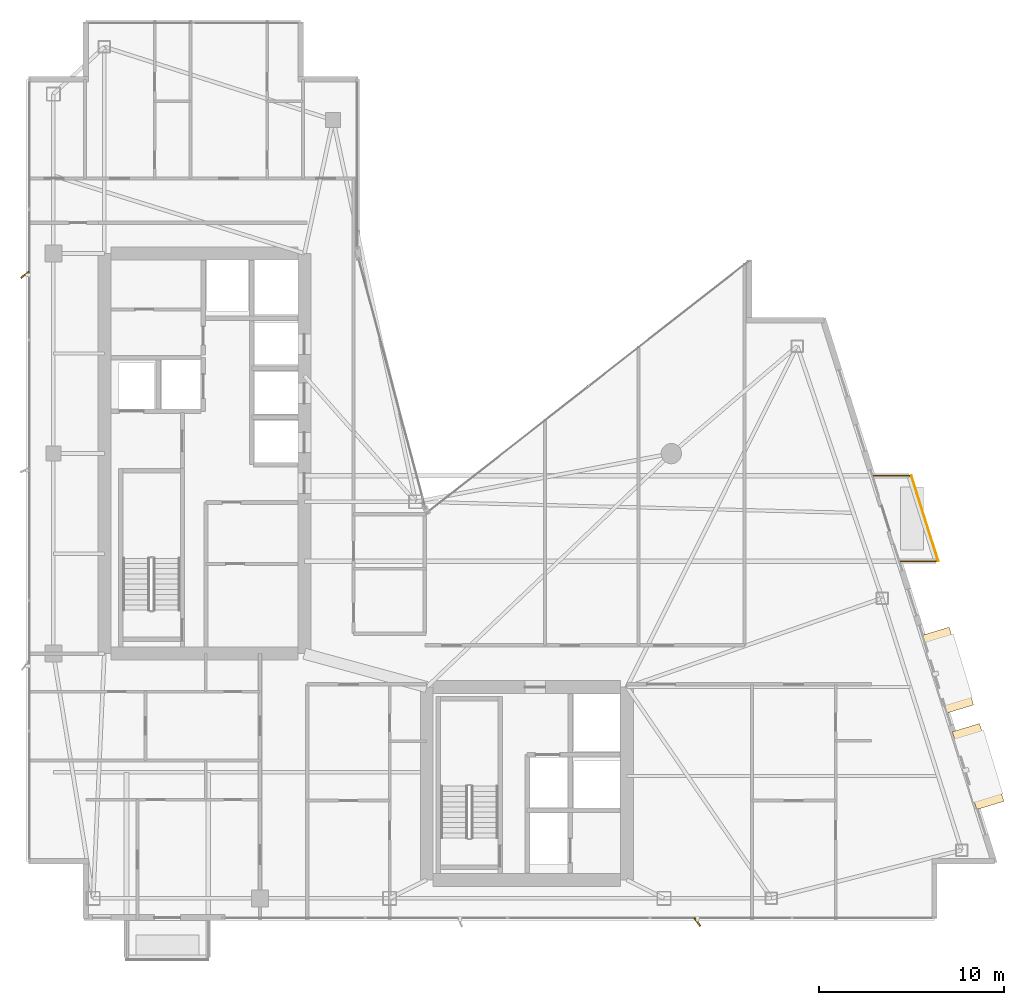
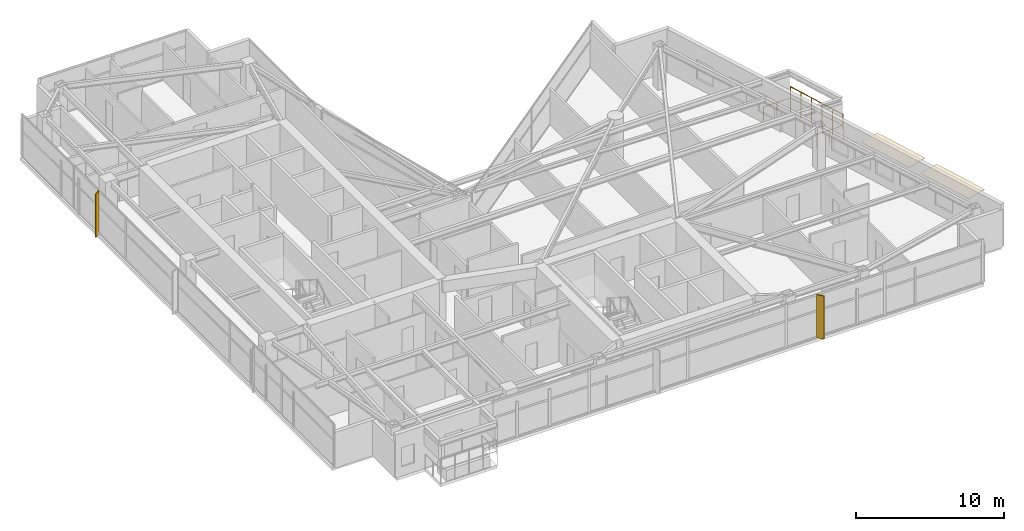
# One storey, part 30 of 30: 2 coverings, 2 railings, 2 shading devices.
"""IFC4 building model written with IfcOpenShell, lengths in metres."""

from ifc_helpers import new_model, si_unit, direction, frame, origin, origin_2d, place, context, subcontext, project, spatial, polyline, rectangle, circle, outline, extrude, material, layer, layer_set, type_object, element, save


model = new_model("IFC4")

# Units and contexts
model_context = context("Model", 3, precision=1e-05, world=origin(), true_north=direction((0.0, 1.0)))
body_context = subcontext(model_context, "Body", "Model", "MODEL_VIEW")
ifc_project = project(units=[si_unit("LENGTHUNIT", "METRE"), si_unit("AREAUNIT", "SQUARE_METRE"), si_unit("VOLUMEUNIT", "CUBIC_METRE"), si_unit("PLANEANGLEUNIT", "RADIAN"), si_unit("MASSUNIT", "GRAM", prefix="KILO")], contexts=[model_context])

# Site, building, storey
site_placement = place(None, origin())
site = spatial("IfcSite", under=ifc_project, at=site_placement, CompositionType="ELEMENT")
building_placement = place(site_placement, origin())
building = spatial("IfcBuilding", under=site, at=building_placement, Name="Calvorn Quay Hotel", CompositionType="ELEMENT")
storey_placement = place(building_placement, frame((0.0, 0.0, 207.199951171875)))
storey = spatial("IfcBuildingStorey", under=building, at=storey_placement, Name="L51", CompositionType="ELEMENT", Elevation=207.199951171875)

# Coverings
ifc_material_1 = material(Name="Pale Anodised Aluminium Rainscreen Cladding", Category="aluminium")
ifc_layer = layer(ifc_material_1, 0.044921875)
ifc_layer_set = layer_set([ifc_layer], Name="COV-CROWN-CLAD")
covering_type = type_object("IfcCoveringType", Name="COV-CROWN-CLAD", PredefinedType="CLADDING", material=ifc_layer_set)
covering_1_placement = place(storey_placement, frame((0.0, 0.0, 2.505126953125)))
element("IfcCovering", 1, at=covering_1_placement, inside=storey, type_object=covering_type, Name="Angled Bay Hood Canopy L51-HOOD-1", PredefinedType="CLADDING", context=body_context, shape_type="SweptSolid", body=[
    extrude(outline(polyline([(49.95703125, 12.587890625), (51.429931640625, 13.034912109375), (52.7529296875, 8.8349609375), (51.280029296875, 8.387939453125), (49.95703125, 12.587890625)])), origin(), (0.0, 0.0, 1.0), 0.044921875),
])
covering_2_placement = place(storey_placement, frame((0.0, 0.0, 2.505126953125)))
element("IfcCovering", 2, at=covering_2_placement, inside=storey, type_object=covering_type, Name="Angled Bay Hood Canopy L51-HOOD-2", PredefinedType="CLADDING", context=body_context, shape_type="SweptSolid", body=[
    extrude(outline(polyline([(48.318115234375, 17.7880859375), (49.791015625, 18.235107421875), (51.114013671875, 14.034912109375), (49.64111328125, 13.587890625), (48.318115234375, 17.7880859375)])), origin(), (0.0, 0.0, 1.0), 0.044921875),
])

# Railings
ifc_material_2 = material(Name="Pale Anodised Aluminium and Laminated Glass", Category="aluminium")
railing_type = type_object("IfcRailingType", Name="RLG-BALUSTRADE-1200", PredefinedType="BALUSTRADE", material=ifc_material_2)
railing_1_placement = place(storey_placement, frame((47.10595703125, 21.800048828125, 0.0)))
element("IfcRailing", 3, at=railing_1_placement, inside=storey, type_object=railing_type, Name="Tree Balcony Perimeter Balustrade L51-BALC-E", PredefinedType="BALUSTRADE", context=body_context, shape_type="SweptSolid", body=[
    extrude(circle(Radius=0.02392578125, at=origin_2d()), frame((0.0, 0.0, 1.17578125), z_axis=(1.0, 0.0, 0.0), x_axis=(0.0, 1.0, 0.0)), (0.0, 0.0, 1.0), 2.10009765625),
    extrude(circle(Radius=0.02392578125, at=origin_2d()), frame((2.10009765625, 0.0, 1.17578125), z_axis=(-0.300450487966, 0.953797412599, 0.0), x_axis=(-0.953797412599, -0.300450487966, 0.0)), (0.0, 0.0, 1.0), 4.82275390625),
    extrude(circle(Radius=0.02392578125, at=origin_2d()), frame((0.651123046875, 4.599853515625, 1.17578125), z_axis=(-1.0, 0.0, 0.0), x_axis=(0.0, -1.0, 0.0)), (0.0, 0.0, 1.0), 2.10009765625),
    extrude(circle(Radius=0.02099609375, at=origin_2d()), origin(), (0.0, 0.0, 1.0), 1.15185546875),
    extrude(circle(Radius=0.02099609375, at=origin_2d()), frame((1.050048828125, 0.0, 0.0)), (0.0, 0.0, 1.0), 1.15185546875),
    extrude(circle(Radius=0.02099609375, at=origin_2d()), frame((2.10009765625, 0.0, 0.0)), (0.0, 0.0, 1.0), 1.15185546875),
    extrude(circle(Radius=0.02099609375, at=origin_2d()), frame((1.810302734375, 0.919921875, 0.0)), (0.0, 0.0, 1.0), 1.15185546875),
    extrude(circle(Radius=0.02099609375, at=origin_2d()), frame((1.5205078125, 1.83984375, 0.0)), (0.0, 0.0, 1.0), 1.15185546875),
    extrude(circle(Radius=0.02099609375, at=origin_2d()), frame((1.230712890625, 2.760009765625, 0.0)), (0.0, 0.0, 1.0), 1.15185546875),
    extrude(circle(Radius=0.02099609375, at=origin_2d()), frame((0.94091796875, 3.679931640625, 0.0)), (0.0, 0.0, 1.0), 1.15185546875),
    extrude(circle(Radius=0.02099609375, at=origin_2d()), frame((0.651123046875, 4.599853515625, 0.0)), (0.0, 0.0, 1.0), 1.15185546875),
    extrude(circle(Radius=0.02099609375, at=origin_2d()), frame((-0.39892578125, 4.599853515625, 0.0)), (0.0, 0.0, 1.0), 1.15185546875),
    extrude(circle(Radius=0.02099609375, at=origin_2d()), frame((-1.448974609375, 4.599853515625, 0.0)), (0.0, 0.0, 1.0), 1.15185546875),
])
railing_2_placement = place(storey_placement, frame((49.2060546875, 21.800048828125, 0.900146484375)))
element("IfcRailing", 4, at=railing_2_placement, inside=storey, type_object=railing_type, Name="Planter Kerb High Safety Screen L51-BALC-E", PredefinedType="BALUSTRADE", context=body_context, shape_type="SweptSolid", body=[
    extrude(circle(Radius=0.02392578125, at=origin_2d()), frame((0.0, 0.0, 1.19580078125), z_axis=(-0.300450487966, 0.953797412599, 0.0), x_axis=(-0.953797412599, -0.300450487966, 0.0)), (0.0, 0.0, 1.0), 4.82275390625),
    extrude(circle(Radius=0.02099609375, at=origin_2d()), origin(), (0.0, 0.0, 1.0), 1.171875),
    extrude(circle(Radius=0.02099609375, at=origin_2d()), frame((-0.289794921875, 0.919921875, 0.0)), (0.0, 0.0, 1.0), 1.171875),
    extrude(circle(Radius=0.02099609375, at=origin_2d()), frame((-0.57958984375, 1.83984375, 0.0)), (0.0, 0.0, 1.0), 1.171875),
    extrude(circle(Radius=0.02099609375, at=origin_2d()), frame((-0.869384765625, 2.760009765625, 0.0)), (0.0, 0.0, 1.0), 1.171875),
    extrude(circle(Radius=0.02099609375, at=origin_2d()), frame((-1.1591796875, 3.679931640625, 0.0)), (0.0, 0.0, 1.0), 1.171875),
    extrude(circle(Radius=0.02099609375, at=origin_2d()), frame((-1.448974609375, 4.599853515625, 0.0)), (0.0, 0.0, 1.0), 1.171875),
])

# Shading devices
ifc_material_3 = material(Name="Champagne Bronze Anodised Aluminium 6063-T6", Category="aluminium")
shading_device_type = type_object("IfcShadingDeviceType", Name="SHD-FIN-A2", PredefinedType="USERDEFINED", material=ifc_material_3)
for number, where, z_axis, x_axis, name in (
    (5, (-0.080078125, 37.25, 0.0), (0.0, 0.0, 1.0), (0.788010753607, 0.615661475326, 0.0), "Diagonal Sun-Shading Fin L51-W03"),
    (6, (36.199951171875, 2.320068359375, 0.0), (0.0, 0.0, 1.0), (-0.615661475326, 0.788010753607, 0.0), "Diagonal Sun-Shading Fin L51-S02"),
):
    element("IfcShadingDevice", number, at=place(storey_placement, frame(where, z_axis=z_axis, x_axis=x_axis)), inside=storey, type_object=shading_device_type, Name=name, ObjectType="FIN", PredefinedType="USERDEFINED", context=body_context, shape_type="SweptSolid", body=[
        extrude(rectangle(XDim=0.550048828125, YDim=0.080078125, at=origin_2d()), origin(), (0.0, 0.0, 1.0), 3.56005859375),
    ])

save(model, "model.ifc")
